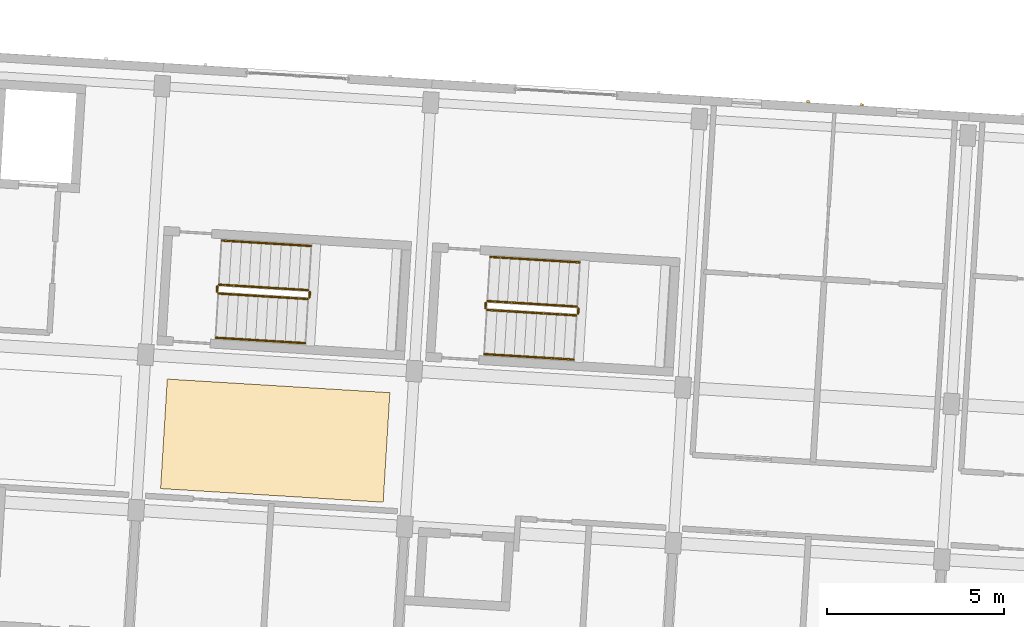
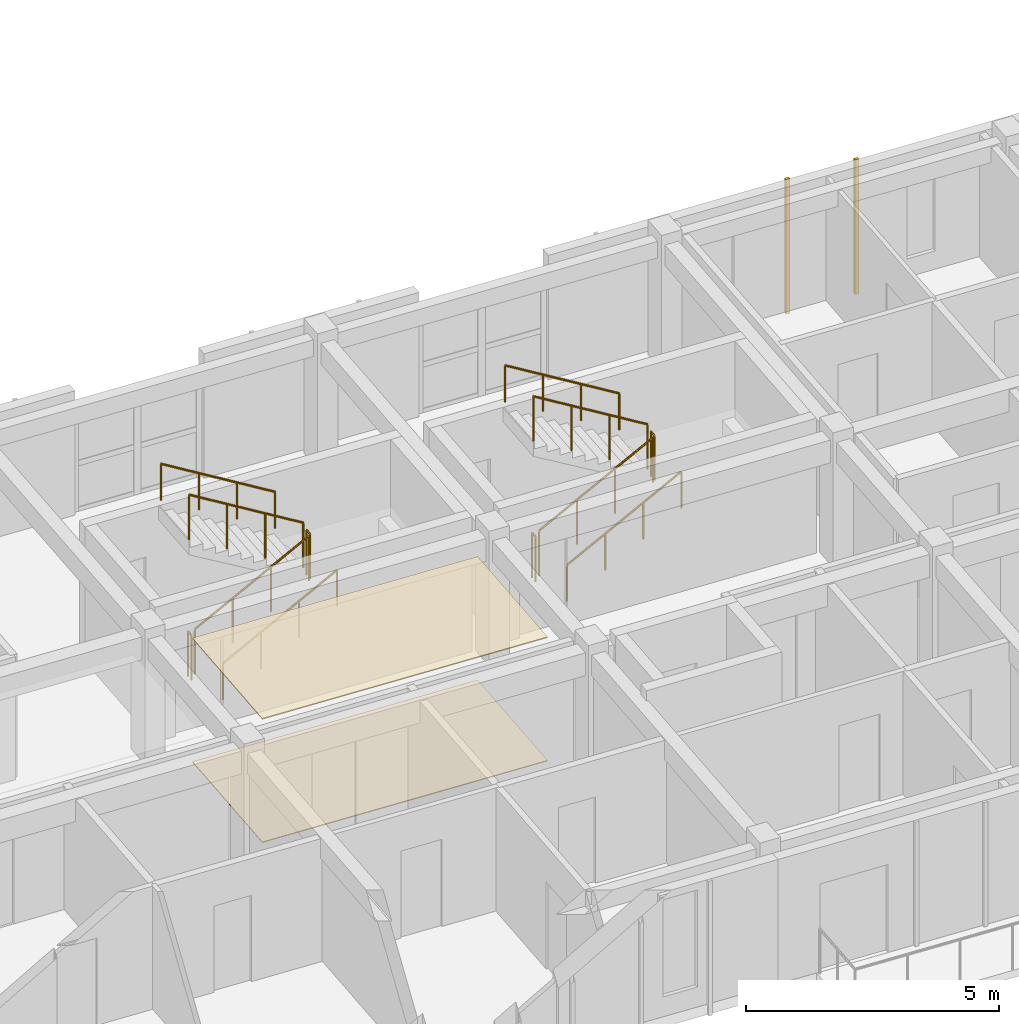
# One storey, part 49 of 65: 12 railings, 4 coverings.
"""IFC4 building model written with IfcOpenShell, lengths in metres."""

from ifc_helpers import new_model, si_unit, direction, frame, origin, origin_2d, place, context, subcontext, project, spatial, polyline, rectangle, circle, outline, extrude, material, layer, layer_set, type_object, element, save


model = new_model("IFC4")

# Units and contexts
model_context = context("Model", 3, precision=1e-05, world=origin(), true_north=direction((0.0, 1.0)))
body_context = subcontext(model_context, "Body", "Model", "MODEL_VIEW")
ifc_project = project(units=[si_unit("LENGTHUNIT", "METRE"), si_unit("AREAUNIT", "SQUARE_METRE"), si_unit("VOLUMEUNIT", "CUBIC_METRE"), si_unit("PLANEANGLEUNIT", "RADIAN"), si_unit("MASSUNIT", "GRAM", prefix="KILO")], contexts=[model_context])

# Site, building, storey
site_placement = place(None, origin())
site = spatial("IfcSite", under=ifc_project, at=site_placement, CompositionType="ELEMENT")
building_placement = place(site_placement, origin())
building = spatial("IfcBuilding", under=site, at=building_placement, Name="Kestramere Prow Commons", CompositionType="ELEMENT")
storey_placement = place(building_placement, frame((0.0, 0.0, 21.39990234375)))
storey = spatial("IfcBuildingStorey", under=building, at=storey_placement, Name="L06", CompositionType="ELEMENT", Elevation=21.39990234375)

# Coverings
ifc_material_1 = material(Name="Mineral Fibre Acoustic Ceiling Tile")
ifc_layer_1 = layer(ifc_material_1, 0.02490234375)
ifc_layer_set_1 = layer_set([ifc_layer_1], Name="Mineral Fibre Acoustic Ceiling Tile")
covering_type_1 = type_object("IfcCoveringType", Name="COV-CEIL-ACOUSTIC", PredefinedType="CEILING", material=ifc_layer_set_1)
covering_1_placement = place(storey_placement, frame((0.0, 0.0, 2.97509765625)))
element("IfcCovering", 1, at=covering_1_placement, inside=storey, type_object=covering_type_1, Name="Block C L06 Corridor Acoustic Ceiling 2", PredefinedType="CEILING", context=body_context, shape_type="SweptSolid", body=[
    extrude(outline(polyline([(68.23828125, 54.23095703125), (74.526611328125, 53.846435546875), (74.7158203125, 56.940673828125), (68.427490234375, 57.3251953125), (68.23828125, 54.23095703125)])), origin(), (0.0, 0.0, 1.0), 0.02490234375),
])
ifc_material_2 = material(Name="Weathered Zinc-Titanium Standing-Seam Cladding")
ifc_layer_2 = layer(ifc_material_2, 0.074951171875)
ifc_layer_set_2 = layer_set([ifc_layer_2], Name="Weathered Zinc-Titanium Standing-Seam Cladding")
covering_type_2 = type_object("IfcCoveringType", Name="COV-CLAD-SEAM", PredefinedType="CLADDING", material=ifc_layer_set_2)
for number, where, z_axis, x_axis, name in (
    (2, (86.52978515625, 65.162109375, -0.25), (0.0, 0.0, 1.0), (0.998134798422, -0.061048539535, 0.0), "EW-C-L06-N-3 Standing-Seam Rib 2"),
    (3, (88.046875, 65.0693359375, -0.25), (0.0, 0.0, 1.0), (0.998134798422, -0.061048539535, 0.0), "EW-C-L06-N-3 Standing-Seam Rib 3"),
):
    element("IfcCovering", number, at=place(storey_placement, frame(where, z_axis=z_axis, x_axis=x_axis)), inside=storey, type_object=covering_type_2, Name=name, PredefinedType="CLADDING", context=body_context, shape_type="SweptSolid", body=[
        extrude(rectangle(XDim=0.0849609375, YDim=0.06494140625, at=origin_2d()), origin(), (0.0, 0.0, 1.0), 3.25),
    ])
ifc_material_3 = material(Name="Honed Cementitious Terrazzo Tile")
ifc_layer_3 = layer(ifc_material_3, 0.02001953125)
ifc_layer_set_3 = layer_set([ifc_layer_3], Name="Honed Cementitious Terrazzo Tile")
covering_type_3 = type_object("IfcCoveringType", Name="COV-FLOOR-TERRAZZO", PredefinedType="FLOORING", material=ifc_layer_set_3)
covering_2_placement = place(storey_placement, origin())
element("IfcCovering", 4, at=covering_2_placement, inside=storey, type_object=covering_type_3, Name="Block C L06 Corridor Terrazzo Flooring 2", PredefinedType="FLOORING", context=body_context, shape_type="SweptSolid", body=[
    extrude(outline(polyline([(68.23828125, 54.23095703125), (74.526611328125, 53.846435546875), (74.7158203125, 56.940673828125), (68.427490234375, 57.3251953125), (68.23828125, 54.23095703125)])), origin(), (0.0, 0.0, 1.0), 0.02001953125),
])

# Railings
ifc_material_4 = material(Name="Galvanised Steel S275JR", Category="steel")
railing_type_1 = type_object("IfcRailingType", Name="RL-ST-GR-1100", PredefinedType="GUARDRAIL", material=ifc_material_4)
railing_1_placement = place(storey_placement, frame((69.877685546875, 59.7412109375, 0.16259765625)))
element("IfcRailing", 5, at=railing_1_placement, inside=storey, type_object=railing_type_1, Name="L06 ST-C1 stair guard 1", PredefinedType="GUARDRAIL", context=body_context, shape_type="SweptSolid", body=[
    extrude(circle(Radius=0.02392578125, at=origin_2d()), frame((0.0, 0.0, 1.076171875), z_axis=(0.863306038156, -0.052788780359, 0.501912371984), x_axis=(0.061033243939, 0.998135733823, 0.0)), (0.0, 0.0, 1.0), 2.91357421875),
    extrude(circle(Radius=0.02099609375, at=origin_2d()), origin(), (0.0, 0.0, 1.0), 1.052001953125),
    extrude(circle(Radius=0.02099609375, at=origin_2d()), frame((0.83837890625, -0.05126953125, 0.487548828125)), (0.0, 0.0, 1.0), 1.052001953125),
    extrude(circle(Radius=0.02099609375, at=origin_2d()), frame((1.677001953125, -0.1025390625, 0.974853515625)), (0.0, 0.0, 1.0), 1.052001953125),
    extrude(circle(Radius=0.02099609375, at=origin_2d()), frame((2.515380859375, -0.15380859375, 1.46240234375)), (0.0, 0.0, 1.0), 1.052001953125),
])
railing_2_placement = place(storey_placement, frame((72.446044921875, 59.63427734375, 1.625)))
element("IfcRailing", 6, at=railing_2_placement, inside=storey, type_object=railing_type_1, Name="L06 ST-C1 stair guard 2", PredefinedType="GUARDRAIL", context=body_context, shape_type="SweptSolid", body=[
    extrude(circle(Radius=0.02392578125, at=origin_2d()), frame((0.0, 0.0, 1.076171875), z_axis=(0.060249240593, 0.998183364422, 0.0), x_axis=(-0.998183364422, 0.060249240593, 0.0)), (0.0, 0.0, 1.0), 0.14990234375),
    extrude(circle(Radius=0.02099609375, at=origin_2d()), origin(), (0.0, 0.0, 1.0), 1.052001953125),
    extrude(circle(Radius=0.02099609375, at=origin_2d()), frame((0.009033203125, 0.149658203125, 0.0)), (0.0, 0.0, 1.0), 1.052001953125),
])
railing_3_placement = place(storey_placement, frame((72.408203125, 59.8369140625, 1.78759765625)))
element("IfcRailing", 7, at=railing_3_placement, inside=storey, type_object=railing_type_1, Name="L06 ST-C1 stair guard 3", PredefinedType="GUARDRAIL", context=body_context, shape_type="SweptSolid", body=[
    extrude(circle(Radius=0.02392578125, at=origin_2d()), frame((0.0, 0.0, 1.076171875), z_axis=(-0.863284693866, 0.052792599217, 0.501948681446), x_axis=(-0.061039146275, -0.998135372894, 0.0)), (0.0, 0.0, 1.0), 2.913330078125),
    extrude(circle(Radius=0.02099609375, at=origin_2d()), origin(), (0.0, 0.0, 1.0), 1.052001953125),
    extrude(circle(Radius=0.02099609375, at=origin_2d()), frame((-0.83837890625, 0.05126953125, 0.487548828125)), (0.0, 0.0, 1.0), 1.052001953125),
    extrude(circle(Radius=0.02099609375, at=origin_2d()), frame((-1.6767578125, 0.1025390625, 0.974853515625)), (0.0, 0.0, 1.0), 1.052001953125),
    extrude(circle(Radius=0.02099609375, at=origin_2d()), frame((-2.51513671875, 0.15380859375, 1.46240234375)), (0.0, 0.0, 1.0), 1.052001953125),
])
railing_4_placement = place(storey_placement, frame((69.830810546875, 59.794189453125, 0.0)))
element("IfcRailing", 8, at=railing_4_placement, inside=storey, type_object=railing_type_1, Name="L06 ST-C1 stair guard 4", PredefinedType="GUARDRAIL", context=body_context, shape_type="SweptSolid", body=[
    extrude(circle(Radius=0.02392578125, at=origin_2d()), frame((0.0, 0.0, 1.076171875), z_axis=(0.061871446683, 0.998084126758, 0.0), x_axis=(-0.998084126758, 0.061871446683, 0.0)), (0.0, 0.0, 1.0), 0.14990234375),
    extrude(circle(Radius=0.02099609375, at=origin_2d()), origin(), (0.0, 0.0, 1.0), 1.052001953125),
    extrude(circle(Radius=0.02099609375, at=origin_2d()), frame((0.00927734375, 0.149658203125, 0.0)), (0.0, 0.0, 1.0), 1.052001953125),
])
railing_5_placement = place(storey_placement, frame((77.463623046875, 59.277099609375, 0.16259765625)))
element("IfcRailing", 9, at=railing_5_placement, inside=storey, type_object=railing_type_1, Name="L06 ST-C2 stair guard 1", PredefinedType="GUARDRAIL", context=body_context, shape_type="SweptSolid", body=[
    extrude(circle(Radius=0.02392578125, at=origin_2d()), frame((0.0, 0.0, 1.076171875), z_axis=(0.863284693866, -0.052792599217, 0.501948681446), x_axis=(0.061039146275, 0.998135372894, 0.0)), (0.0, 0.0, 1.0), 2.913330078125),
    extrude(circle(Radius=0.02099609375, at=origin_2d()), origin(), (0.0, 0.0, 1.0), 1.052001953125),
    extrude(circle(Radius=0.02099609375, at=origin_2d()), frame((0.83837890625, -0.05126953125, 0.487548828125)), (0.0, 0.0, 1.0), 1.052001953125),
    extrude(circle(Radius=0.02099609375, at=origin_2d()), frame((1.6767578125, -0.1025390625, 0.974853515625)), (0.0, 0.0, 1.0), 1.052001953125),
    extrude(circle(Radius=0.02099609375, at=origin_2d()), frame((2.51513671875, -0.15380859375, 1.46240234375)), (0.0, 0.0, 1.0), 1.052001953125),
])
railing_6_placement = place(storey_placement, frame((80.03173828125, 59.170166015625, 1.625)))
element("IfcRailing", 10, at=railing_6_placement, inside=storey, type_object=railing_type_1, Name="L06 ST-C2 stair guard 2", PredefinedType="GUARDRAIL", context=body_context, shape_type="SweptSolid", body=[
    extrude(circle(Radius=0.02392578125, at=origin_2d()), frame((0.0, 0.0, 1.076171875), z_axis=(0.061871446683, 0.998084126758, 0.0), x_axis=(-0.998084126758, 0.061871446683, 0.0)), (0.0, 0.0, 1.0), 0.14990234375),
    extrude(circle(Radius=0.02099609375, at=origin_2d()), origin(), (0.0, 0.0, 1.0), 1.052001953125),
    extrude(circle(Radius=0.02099609375, at=origin_2d()), frame((0.00927734375, 0.149658203125, 0.0)), (0.0, 0.0, 1.0), 1.052001953125),
])
railing_7_placement = place(storey_placement, frame((79.994140625, 59.372802734375, 1.78759765625)))
element("IfcRailing", 11, at=railing_7_placement, inside=storey, type_object=railing_type_1, Name="L06 ST-C2 stair guard 3", PredefinedType="GUARDRAIL", context=body_context, shape_type="SweptSolid", body=[
    extrude(circle(Radius=0.02392578125, at=origin_2d()), frame((0.0, 0.0, 1.076171875), z_axis=(-0.863306038156, 0.052788780359, 0.501912371984), x_axis=(-0.061033243939, -0.998135733823, 0.0)), (0.0, 0.0, 1.0), 2.91357421875),
    extrude(circle(Radius=0.02099609375, at=origin_2d()), origin(), (0.0, 0.0, 1.0), 1.052001953125),
    extrude(circle(Radius=0.02099609375, at=origin_2d()), frame((-0.83837890625, 0.05126953125, 0.487548828125)), (0.0, 0.0, 1.0), 1.052001953125),
    extrude(circle(Radius=0.02099609375, at=origin_2d()), frame((-1.677001953125, 0.1025390625, 0.974853515625)), (0.0, 0.0, 1.0), 1.052001953125),
    extrude(circle(Radius=0.02099609375, at=origin_2d()), frame((-2.515380859375, 0.15380859375, 1.46240234375)), (0.0, 0.0, 1.0), 1.052001953125),
])
railing_8_placement = place(storey_placement, frame((77.416748046875, 59.330078125, 0.0)))
element("IfcRailing", 12, at=railing_8_placement, inside=storey, type_object=railing_type_1, Name="L06 ST-C2 stair guard 4", PredefinedType="GUARDRAIL", context=body_context, shape_type="SweptSolid", body=[
    extrude(circle(Radius=0.02392578125, at=origin_2d()), frame((0.0, 0.0, 1.076171875), z_axis=(0.060151470121, 0.998189260933, 0.0), x_axis=(-0.998189260933, 0.060151470121, 0.0)), (0.0, 0.0, 1.0), 0.150146484375),
    extrude(circle(Radius=0.02099609375, at=origin_2d()), origin(), (0.0, 0.0, 1.0), 1.052001953125),
    extrude(circle(Radius=0.02099609375, at=origin_2d()), frame((0.009033203125, 0.14990234375, 0.0)), (0.0, 0.0, 1.0), 1.052001953125),
])
ifc_material_5 = material(Name="Stainless Steel 304", Category="steel")
railing_type_2 = type_object("IfcRailingType", Name="RL-ST-HR-900", PredefinedType="HANDRAIL", material=ifc_material_5)
railing_9_placement = place(storey_placement, frame((69.801513671875, 58.493408203125, 0.3251953125)))
element("IfcRailing", 13, at=railing_9_placement, inside=storey, type_object=railing_type_2, Name="L06 ST-C1 stair handrail 1", PredefinedType="HANDRAIL", context=body_context, shape_type="SweptSolid", body=[
    extrude(circle(Radius=0.02392578125, at=origin_2d()), frame((0.0, 0.0, 0.8759765625), z_axis=(0.863284693866, -0.052792599217, 0.501948681446), x_axis=(0.061039146275, 0.998135372894, 0.0)), (0.0, 0.0, 1.0), 2.913330078125),
    extrude(circle(Radius=0.02099609375, at=origin_2d()), origin(), (0.0, 0.0, 1.0), 0.851806640625),
    extrude(circle(Radius=0.02099609375, at=origin_2d()), frame((0.83837890625, -0.05126953125, 0.487548828125)), (0.0, 0.0, 1.0), 0.851806640625),
    extrude(circle(Radius=0.02099609375, at=origin_2d()), frame((1.6767578125, -0.1025390625, 0.974853515625)), (0.0, 0.0, 1.0), 0.851806640625),
    extrude(circle(Radius=0.02099609375, at=origin_2d()), frame((2.51513671875, -0.15380859375, 1.46240234375)), (0.0, 0.0, 1.0), 0.851806640625),
])
railing_10_placement = place(storey_placement, frame((72.484619140625, 61.08447265625, 1.9501953125)))
element("IfcRailing", 14, at=railing_10_placement, inside=storey, type_object=railing_type_2, Name="L06 ST-C1 stair handrail 2", PredefinedType="HANDRAIL", context=body_context, shape_type="SweptSolid", body=[
    extrude(circle(Radius=0.02392578125, at=origin_2d()), frame((0.0, 0.0, 0.8759765625), z_axis=(-0.863306038156, 0.052788780359, 0.501912371984), x_axis=(-0.061033243939, -0.998135733823, 0.0)), (0.0, 0.0, 1.0), 2.91357421875),
    extrude(circle(Radius=0.02099609375, at=origin_2d()), origin(), (0.0, 0.0, 1.0), 0.851806640625),
    extrude(circle(Radius=0.02099609375, at=origin_2d()), frame((-0.83837890625, 0.05126953125, 0.487548828125)), (0.0, 0.0, 1.0), 0.851806640625),
    extrude(circle(Radius=0.02099609375, at=origin_2d()), frame((-1.677001953125, 0.1025390625, 0.974853515625)), (0.0, 0.0, 1.0), 0.851806640625),
    extrude(circle(Radius=0.02099609375, at=origin_2d()), frame((-2.515380859375, 0.15380859375, 1.46240234375)), (0.0, 0.0, 1.0), 0.851806640625),
])
railing_11_placement = place(storey_placement, frame((77.38720703125, 58.029541015625, 0.3251953125)))
element("IfcRailing", 15, at=railing_11_placement, inside=storey, type_object=railing_type_2, Name="L06 ST-C2 stair handrail 1", PredefinedType="HANDRAIL", context=body_context, shape_type="SweptSolid", body=[
    extrude(circle(Radius=0.02392578125, at=origin_2d()), frame((0.0, 0.0, 0.8759765625), z_axis=(0.863306038156, -0.052788780359, 0.501912371984), x_axis=(0.061033243939, 0.998135733823, 0.0)), (0.0, 0.0, 1.0), 2.91357421875),
    extrude(circle(Radius=0.02099609375, at=origin_2d()), origin(), (0.0, 0.0, 1.0), 0.851806640625),
    extrude(circle(Radius=0.02099609375, at=origin_2d()), frame((0.83837890625, -0.05126953125, 0.487548828125)), (0.0, 0.0, 1.0), 0.851806640625),
    extrude(circle(Radius=0.02099609375, at=origin_2d()), frame((1.677001953125, -0.1025390625, 0.974853515625)), (0.0, 0.0, 1.0), 0.851806640625),
    extrude(circle(Radius=0.02099609375, at=origin_2d()), frame((2.515380859375, -0.15380859375, 1.46240234375)), (0.0, 0.0, 1.0), 0.851806640625),
])
railing_12_placement = place(storey_placement, frame((80.0703125, 60.62060546875, 1.9501953125)))
element("IfcRailing", 16, at=railing_12_placement, inside=storey, type_object=railing_type_2, Name="L06 ST-C2 stair handrail 2", PredefinedType="HANDRAIL", context=body_context, shape_type="SweptSolid", body=[
    extrude(circle(Radius=0.02392578125, at=origin_2d()), frame((0.0, 0.0, 0.8759765625), z_axis=(-0.863284693866, 0.052792599217, 0.501948681446), x_axis=(-0.061039146275, -0.998135372894, 0.0)), (0.0, 0.0, 1.0), 2.913330078125),
    extrude(circle(Radius=0.02099609375, at=origin_2d()), origin(), (0.0, 0.0, 1.0), 0.851806640625),
    extrude(circle(Radius=0.02099609375, at=origin_2d()), frame((-0.83837890625, 0.05126953125, 0.487548828125)), (0.0, 0.0, 1.0), 0.851806640625),
    extrude(circle(Radius=0.02099609375, at=origin_2d()), frame((-1.6767578125, 0.1025390625, 0.974853515625)), (0.0, 0.0, 1.0), 0.851806640625),
    extrude(circle(Radius=0.02099609375, at=origin_2d()), frame((-2.51513671875, 0.15380859375, 1.46240234375)), (0.0, 0.0, 1.0), 0.851806640625),
])

save(model, "model.ifc")
